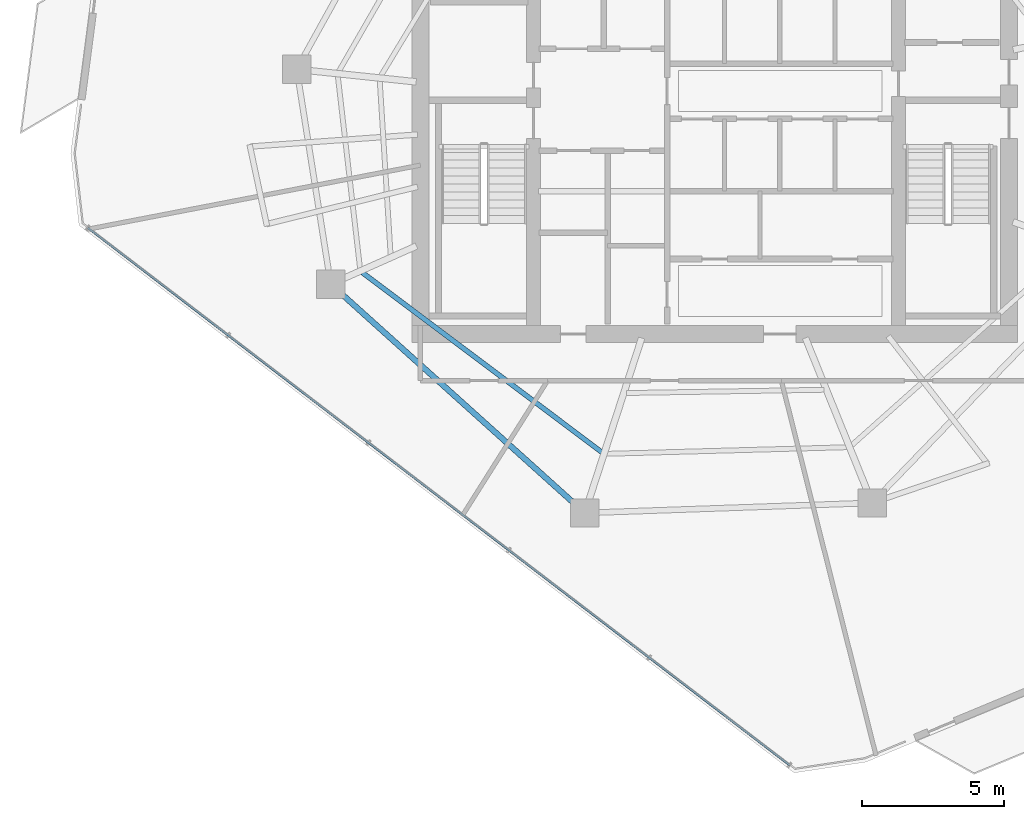
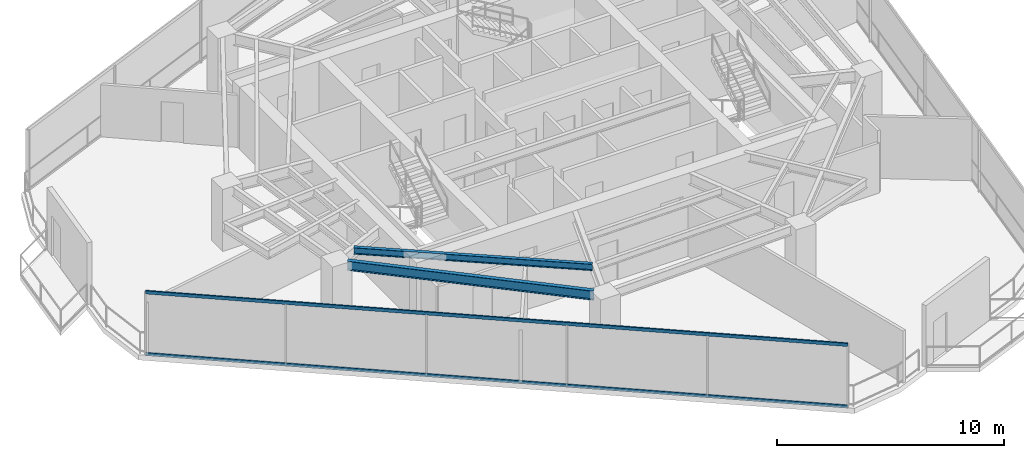
# One storey, part 3 of 20: 2 beams, 2 members, 1 element without a shape of its own.
"""IFC4 building model written with IfcOpenShell, lengths in metres."""

from ifc_helpers import new_model, si_unit, direction, frame, origin, origin_2d, place, context, subcontext, project, spatial, hollow_rectangle, i_section, extrude, material, layer, layer_set, material_profile, profile_set, type_object, element, aggregate, save


model = new_model("IFC4")

# Units and contexts
model_context = context("Model", 3, precision=1e-05, world=origin(), true_north=direction((0.0, 1.0)))
body_context = subcontext(model_context, "Body", "Model", "MODEL_VIEW")
ifc_project = project(units=[si_unit("LENGTHUNIT", "METRE"), si_unit("AREAUNIT", "SQUARE_METRE"), si_unit("VOLUMEUNIT", "CUBIC_METRE"), si_unit("PLANEANGLEUNIT", "RADIAN"), si_unit("MASSUNIT", "GRAM", prefix="KILO")], contexts=[model_context])

# Site, building, storey
site_placement = place(None, origin())
site = spatial("IfcSite", under=ifc_project, at=site_placement, CompositionType="ELEMENT")
building_placement = place(site_placement, origin())
building = spatial("IfcBuilding", under=site, at=building_placement, Name="Qarnah Convention Tower", CompositionType="ELEMENT")
storey_placement = place(building_placement, frame((0.0, 0.0, 150.89990234375)))
storey = spatial("IfcBuildingStorey", under=building, at=storey_placement, Name="L40", CompositionType="ELEMENT", Elevation=150.89990234375)

# Beams
ifc_material_1 = material(Name="Structural steel S355JR", Category="steel")
ifc_material_profile_1 = material_profile(ifc_material_1, i_section(OverallWidth=0.172119140625, OverallDepth=0.35595703125, WebThickness=0.007080078125, FlangeThickness=0.011962890625, at=origin_2d()), Name="W360X51")
ifc_profile_set_1 = profile_set([ifc_material_profile_1], Name="Structural steel S355JR")
beam_type_1 = type_object("IfcBeamType", Name="BM-JST-W360", PredefinedType="JOIST", material=ifc_profile_set_1)
beam_1_placement = place(storey_placement, frame((24.7509765625, 20.77099609375, 3.14208984375), z_axis=(0.799842204351, -0.600210336581, 0.0), x_axis=(0.600210336581, 0.799842204351, 0.0)))
element("IfcBeam", 1, at=beam_1_placement, inside=storey, type_object=beam_type_1, Name="L40 joist BM-L40-SJST-06", PredefinedType="JOIST", context=body_context, shape_type="SweptSolid", body=[
    extrude(i_section(OverallWidth=0.172119140625, OverallDepth=0.35595703125, WebThickness=0.007080078125, FlangeThickness=0.011962890625, at=origin_2d()), origin(), (0.0, 0.0, 1.0), 10.584716796875),
])
ifc_material_profile_2 = material_profile(ifc_material_1, i_section(OverallWidth=0.199951171875, OverallDepth=0.5, WebThickness=0.010009765625, FlangeThickness=0.01611328125, at=origin_2d()), Name="IPE500")
ifc_profile_set_2 = profile_set([ifc_material_profile_2], Name="Structural steel S355JR")
beam_type_2 = type_object("IfcBeamType", Name="BM-SPN-IPE500", PredefinedType="SPANDREL", material=ifc_profile_set_2)
beam_2_placement = place(storey_placement, frame((23.998046875, 20.031982421875, 3.070068359375), z_axis=(0.743165079224, -0.66910811161, 0.0), x_axis=(0.66910811161, 0.743165079224, 0.0)))
element("IfcBeam", 2, at=beam_2_placement, inside=storey, type_object=beam_type_2, Name="L40 spandrel BM-L40-SPN-06", PredefinedType="SPANDREL", context=body_context, shape_type="SweptSolid", body=[
    extrude(i_section(OverallWidth=0.199951171875, OverallDepth=0.5, WebThickness=0.010009765625, FlangeThickness=0.01611328125, at=origin_2d()), origin(), (0.0, 0.0, 1.0), 11.099853515625),
])

# Curtain wall, members
ifc_material_2 = material(Name="Tempered Low-E dark glass", Category="glass")
ifc_layer = layer(ifc_material_2, 0.172119140625)
ifc_layer_set = layer_set([ifc_layer], Name="Tempered Low-E dark glass")
curtain_wall_type = type_object("IfcCurtainWallType", Name="CWS-03", PredefinedType="NOTDEFINED", material=ifc_layer_set)
curtain_wall_placement = place(storey_placement, origin())
curtain_wall = element("IfcCurtainWall", 3, at=curtain_wall_placement, inside=storey, type_object=curtain_wall_type, Name="L40 unitised curtain wall CW-L40-F3", PredefinedType="NOTDEFINED")
ifc_material_3 = material(Name="Black anodised aluminium", Category="aluminium")
ifc_material_profile_3 = material_profile(ifc_material_3, hollow_rectangle(XDim=0.070068359375, YDim=0.169921875, WallThickness=0.0048828125, at=origin_2d()), Name="TRN-70X170")
ifc_profile_set_3 = profile_set([ifc_material_profile_3], Name="Black anodised aluminium")
member_type = type_object("IfcMemberType", Name="TRN-T3", PredefinedType="USERDEFINED", material=ifc_profile_set_3)
member_1_placement = place(storey_placement, frame((39.842041015625, 3.368896484375, 0.0), z_axis=(-0.793989515251, 0.607931451457, 0.0), x_axis=(-0.607931451457, -0.793989515251, 0.0)))
member_1 = element("IfcMember", 4, at=member_1_placement, type_object=member_type, Name="CW-L40-F3 transom 1", ObjectType="TRANSOM", PredefinedType="USERDEFINED", context=body_context, shape_type="SweptSolid", body=[
    extrude(hollow_rectangle(XDim=0.070068359375, YDim=0.169921875, WallThickness=0.0048828125, at=origin_2d()), origin(), (0.0, 0.0, 1.0), 31.225830078125),
])
member_2_placement = place(storey_placement, frame((39.842041015625, 3.368896484375, 3.320068359375), z_axis=(-0.793989515251, 0.607931451457, 0.0), x_axis=(-0.607931451457, -0.793989515251, 0.0)))
member_2 = element("IfcMember", 5, at=member_2_placement, type_object=member_type, Name="CW-L40-F3 transom 2", ObjectType="TRANSOM", PredefinedType="USERDEFINED", context=body_context, shape_type="SweptSolid", body=[
    extrude(hollow_rectangle(XDim=0.070068359375, YDim=0.169921875, WallThickness=0.0048828125, at=origin_2d()), origin(), (0.0, 0.0, 1.0), 31.225830078125),
])
aggregate(curtain_wall, [member_1, member_2])

save(model, "model.ifc")
